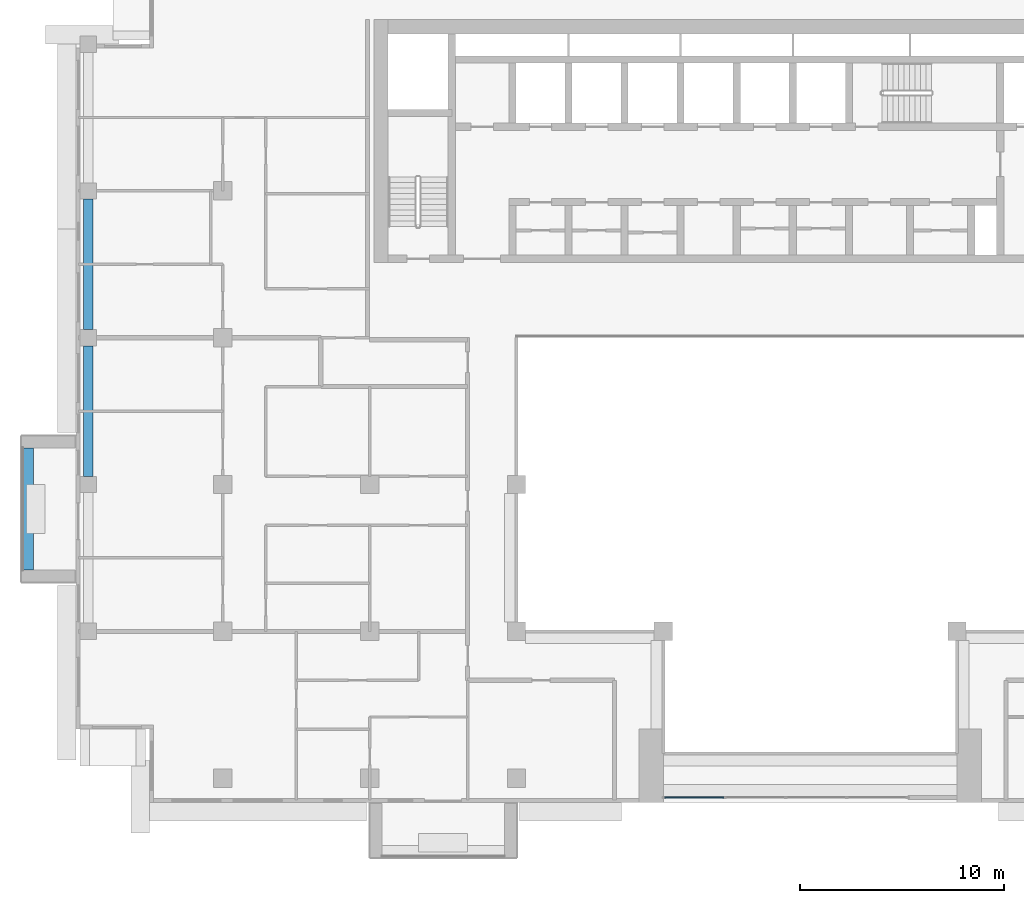
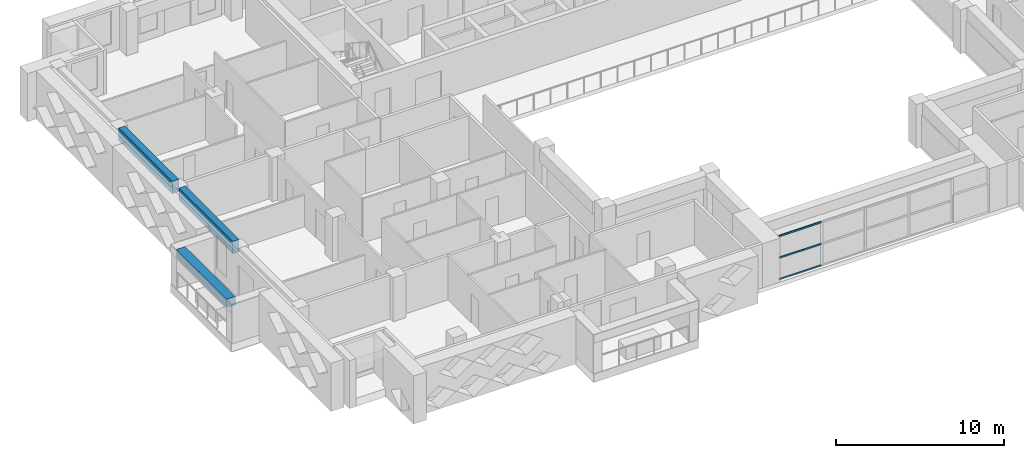
# One storey, part 3 of 20: 3 beams, 3 members, 1 element without a shape of its own.
"""IFC4 building model written with IfcOpenShell, lengths in metres."""

import ifcopenshell
import ifcopenshell.guid

model = None  # the IFC model being written
_history = None  # IfcOwnerHistory: only IFC2X3 demands one
_inside = {}  # id of a spatial element -> (the spatial element, [elements in it])
_under = {}  # id of a project, library or spatial element -> (it, [spatial elements below it])
_declared = {}  # id of a project -> (the project, [libraries it declares])
_typed = {}  # id of a type object -> (the type object, [elements of that type])
_made_of = {}  # id of a material, layer set ... -> (it, [elements and type objects made of it])


def new_model(schema):
    """Start an empty IFC model of exactly this schema.

    Asked for "IFC4X3", IfcOpenShell would pick the latest addendum, in which some entities
    have other attributes; the version numbers below select the first issue.
    IFC2X3 requires an IfcOwnerHistory on every rooted entity: one is made here for all.
    """
    global model, _history
    if schema == "IFC4X3":
        model = ifcopenshell.file(schema_version=(4, 3, 0, 0))
    else:
        model = ifcopenshell.file(schema=schema)
    _inside.clear()
    _under.clear()
    _declared.clear()
    _typed.clear()
    _made_of.clear()
    _history = None
    if model.schema == "IFC2X3":
        org = make("IfcOrganization", Name="unknown")
        user = make(
            "IfcPersonAndOrganization",
            ThePerson=make("IfcPerson", FamilyName="unknown"),
            TheOrganization=org,
        )
        app = make(
            "IfcApplication",
            ApplicationDeveloper=org,
            Version="unknown",
            ApplicationFullName="unknown",
            ApplicationIdentifier="unknown",
        )
        _history = make(
            "IfcOwnerHistory",
            OwningUser=user,
            OwningApplication=app,
            ChangeAction="ADDED",
            CreationDate=0,
        )
    return model


def make(cls, **values):
    """One entity of the class cls with the attributes given. An attribute that is None is left unset."""
    return model.create_entity(
        cls, **{name: value for name, value in values.items() if value is not None}
    )


def rooted(cls, **values):
    """An entity with a GlobalId (a new one), such as an element, a storey or a relation."""
    return make(cls, GlobalId=ifcopenshell.guid.new(), OwnerHistory=_history, **values)


def si_unit(unit_type, name, prefix=None):
    """IfcSIUnit, for example si_unit("LENGTHUNIT", "METRE", prefix="MILLI")."""
    return make("IfcSIUnit", UnitType=unit_type, Prefix=prefix, Name=name)


def assignment(units):
    """IfcUnitAssignment: the units of a project."""
    return None if units is None else make("IfcUnitAssignment", Units=units)


def point(xyz):
    """IfcCartesianPoint."""
    return None if xyz is None else make("IfcCartesianPoint", Coordinates=xyz)


def direction(xyz):
    """IfcDirection."""
    return None if xyz is None else make("IfcDirection", DirectionRatios=xyz)


def frame(location, z_axis=None, x_axis=None):
    """IfcAxis2Placement3D, a coordinate frame: its origin and axes. An axis left out is left unset."""
    return make(
        "IfcAxis2Placement3D",
        Location=point(location),
        Axis=direction(z_axis),
        RefDirection=direction(x_axis),
    )


def frame_2d(location, x_axis=None):
    """IfcAxis2Placement2D, a coordinate frame in the plane: its origin and x axis."""
    return make(
        "IfcAxis2Placement2D", Location=point(location), RefDirection=direction(x_axis)
    )


def origin():
    """The frame at (0, 0, 0) with its axes left unset."""
    return frame((0.0, 0.0, 0.0))


def origin_2d():
    """The frame at (0, 0) in the plane with its x axis left unset."""
    return frame_2d((0.0, 0.0))


def place(relative_to, where):
    """IfcLocalPlacement: puts the frame where relative to a parent placement (None: the world)."""
    return make(
        "IfcLocalPlacement", PlacementRelTo=relative_to, RelativePlacement=where
    )


def context(
    kind, dimensions, precision=None, world=None, true_north=None, identifier=None
):
    """IfcGeometricRepresentationContext, for example the 3D "Model" context."""
    return make(
        "IfcGeometricRepresentationContext",
        ContextIdentifier=identifier,
        ContextType=kind,
        CoordinateSpaceDimension=dimensions,
        Precision=precision,
        WorldCoordinateSystem=world,
        TrueNorth=true_north,
    )


def subcontext(parent, identifier, kind, view, scale=None):
    """IfcGeometricRepresentationSubContext, for example "Body" below "Model"."""
    return make(
        "IfcGeometricRepresentationSubContext",
        ContextIdentifier=identifier,
        ContextType=kind,
        ParentContext=parent,
        TargetScale=scale,
        TargetView=view,
    )


def project(units=None, contexts=None):
    """IfcProject with its units and contexts."""
    return rooted(
        "IfcProject",
        Name="project",
        RepresentationContexts=contexts,
        UnitsInContext=assignment(units),
    )


def spatial(cls, under=None, at=None, **own):
    """A site, building, storey or space (cls), placed at a placement, below another one or the project."""
    s = rooted(cls, ObjectPlacement=at, **own)
    if under is not None:
        _under.setdefault(under.id(), (under, []))[1].append(s)
    return s


def profile(cls, at=None, kind="AREA", **sizes):
    """A parametric profile (cls). Its sizes go by their IFC names, for example OverallWidth=200.0."""
    return make(cls, ProfileType=kind, Position=at, **sizes)


def rectangle(**sizes):
    """IfcRectangleProfileDef."""
    return profile("IfcRectangleProfileDef", **sizes)


def extrude(swept, where, along, depth):
    """IfcExtrudedAreaSolid: the profile swept, set in the frame where, extruded along a direction by depth."""
    return make(
        "IfcExtrudedAreaSolid",
        SweptArea=swept,
        Position=where,
        ExtrudedDirection=direction(along),
        Depth=depth,
    )


def shape(context_of_items, identifier, shape_type, items):
    """IfcShapeRepresentation: the items that make up one representation, for example the "Body"."""
    return make(
        "IfcShapeRepresentation",
        ContextOfItems=context_of_items,
        RepresentationIdentifier=identifier,
        RepresentationType=shape_type,
        Items=items,
    )


def source(mapping_origin, context_of_items, identifier, shape_type, items):
    """IfcRepresentationMap: a shape defined once, which mapped items show again and again."""
    return make(
        "IfcRepresentationMap",
        MappingOrigin=mapping_origin,
        MappedRepresentation=shape(context_of_items, identifier, shape_type, items),
    )


def transform(
    local_origin,
    x_axis=None,
    y_axis=None,
    z_axis=None,
    scale=None,
    scale2=None,
    scale3=None,
    uniform=True,
):
    """IfcCartesianTransformationOperator3D, or its non-uniform kind. x_axis, y_axis, z_axis: its Axis1, 2, 3."""
    if uniform:
        return make(
            "IfcCartesianTransformationOperator3D",
            Axis1=direction(x_axis),
            Axis2=direction(y_axis),
            LocalOrigin=point(local_origin),
            Scale=scale,
            Axis3=direction(z_axis),
        )
    return make(
        "IfcCartesianTransformationOperator3DnonUniform",
        Axis1=direction(x_axis),
        Axis2=direction(y_axis),
        LocalOrigin=point(local_origin),
        Scale=scale,
        Axis3=direction(z_axis),
        Scale2=scale2,
        Scale3=scale3,
    )


def mapped(mapping_source, mapping_target):
    """IfcMappedItem: shows the shape of a source again, moved by a transform."""
    return make(
        "IfcMappedItem", MappingSource=mapping_source, MappingTarget=mapping_target
    )


def material(Name=None, Category=None):
    """IfcMaterial."""
    return make("IfcMaterial", Name=Name, Category=Category)


def layer(
    of_material, thickness, ventilated=None, Name=None, Category=None, Priority=None
):
    """IfcMaterialLayer: one layer of a wall or slab, of a material (None: an air gap)."""
    return make(
        "IfcMaterialLayer",
        Material=of_material,
        LayerThickness=thickness,
        IsVentilated=ventilated,
        Name=Name,
        Category=Category,
        Priority=Priority,
    )


def layer_set(layers, Name=None):
    """IfcMaterialLayerSet."""
    return make("IfcMaterialLayerSet", MaterialLayers=layers, LayerSetName=Name)


def material_profile(
    of_material, cross_section, Name=None, Category=None, Priority=None
):
    """IfcMaterialProfile: a cross section and its material."""
    return make(
        "IfcMaterialProfile",
        Name=Name,
        Material=of_material,
        Profile=cross_section,
        Priority=Priority,
        Category=Category,
    )


def profile_set(profiles, Name=None, composite=None):
    """IfcMaterialProfileSet."""
    return make(
        "IfcMaterialProfileSet",
        Name=Name,
        MaterialProfiles=profiles,
        CompositeProfile=composite,
    )


def made_of(thing, what):
    """Note that an element or type object is made of a material, layer set ...; save() writes the relation."""
    if what is not None:
        _made_of.setdefault(what.id(), (what, []))[1].append(thing)
    return thing


def type_object(cls, material=None, **own):
    """A type object (cls), such as IfcWallType, which elements share."""
    return made_of(rooted(cls, **own), material)


def element(
    cls,
    number,
    at=None,
    inside=None,
    cuts=None,
    type_object=None,
    material=None,
    context=None,
    identifier="Body",
    shape_type=None,
    held_by="IfcProductDefinitionShape",
    body=None,
    shapes=None,
    **own,
):
    """One element of the class cls, such as IfcWall. Its Tag is "e" and its number.

    at: its placement. inside: the storey or other place that contains it. cuts: it is an
    opening in that element (IfcRelVoidsElement). A single representation is given by context,
    identifier, shape_type and body (its items); several are given by shapes. held_by: the class
    of the entity that holds the representations. save() writes the other relations.
    """
    e = rooted(cls, Tag="e%d" % number, ObjectPlacement=at, **own)
    if body is not None:
        shapes = [shape(context, identifier, shape_type, body)]
    if shapes is not None:
        e.Representation = make(held_by, Representations=shapes)
    if inside is not None:
        _inside.setdefault(inside.id(), (inside, []))[1].append(e)
    if cuts is not None:
        rooted(
            "IfcRelVoidsElement", RelatingBuildingElement=cuts, RelatedOpeningElement=e
        )
    if type_object is not None:
        _typed.setdefault(type_object.id(), (type_object, []))[1].append(e)
    return made_of(e, material)


def aggregate(whole, parts):
    """IfcRelAggregates: a whole, such as a stair, and the parts it consists of."""
    return rooted("IfcRelAggregates", RelatingObject=whole, RelatedObjects=parts)


def save(model, path):
    """Write the relations noted so far, then the file.

    IfcRelAggregates (storeys below a building ...), IfcRelContainedInSpatialStructure (elements
    in a storey), IfcRelDefinesByType, IfcRelAssociatesMaterial and IfcRelDeclares: one each for
    every whole, place, type object, material and project.
    """
    for whole, parts in _under.values():
        aggregate(whole, parts)
    for where, things in _inside.values():
        rooted(
            "IfcRelContainedInSpatialStructure",
            RelatedElements=things,
            RelatingStructure=where,
        )
    for kind, things in _typed.values():
        rooted("IfcRelDefinesByType", RelatedObjects=things, RelatingType=kind)
    for what, things in _made_of.values():
        rooted("IfcRelAssociatesMaterial", RelatedObjects=things, RelatingMaterial=what)
    for by, libraries in _declared.values():
        rooted("IfcRelDeclares", RelatingContext=by, RelatedDefinitions=libraries)
    model.write(path)


model = new_model("IFC4")

# Units and contexts
model_context = context("Model", 3, precision=1e-05, world=origin(), true_north=direction((0.0, 1.0)))
body_context = subcontext(model_context, "Body", "Model", "MODEL_VIEW")
ifc_project = project(units=[si_unit("LENGTHUNIT", "METRE"), si_unit("AREAUNIT", "SQUARE_METRE"), si_unit("VOLUMEUNIT", "CUBIC_METRE"), si_unit("PLANEANGLEUNIT", "RADIAN"), si_unit("MASSUNIT", "GRAM", prefix="KILO")], contexts=[model_context])

# Site, building, storey
site_placement = place(None, origin())
site = spatial("IfcSite", under=ifc_project, at=site_placement, CompositionType="ELEMENT")
building_placement = place(site_placement, origin())
building = spatial("IfcBuilding", under=site, at=building_placement, Name="Saffron Iwan Residences", CompositionType="ELEMENT")
storey_placement = place(building_placement, frame((0.0, 0.0, 199.0)))
storey = spatial("IfcBuildingStorey", under=building, at=storey_placement, Name="L53", CompositionType="ELEMENT", Elevation=199.0)

# Beams
ifc_material_1 = material(Name="Concrete C50/60", Category="concrete")
ifc_material_profile_1 = material_profile(ifc_material_1, rectangle(XDim=0.449951171875, YDim=0.89990234375, at=origin_2d()), Name="RC 450x900")
ifc_profile_set_1 = profile_set([ifc_material_profile_1], Name="Concrete C50/60")
beam_type_1 = type_object("IfcBeamType", Name="SPANDREL BEAM RC 450x900 C50/60 TOP 3200", PredefinedType="SPANDREL", material=ifc_profile_set_1)
shared_shape_1 = source(origin(), body_context, "Body", "SweptSolid", [
    extrude(rectangle(XDim=0.449951171875, YDim=0.89990234375, at=origin_2d()), origin(), (0.0, 0.0, 1.0), 6.39990234375),
])
for number, where, z_axis, x_axis, name in (
    (1, (15.0, 55.60009765625, 2.75), (0.0, 1.0, 0.0), (-1.0, 0.0, 0.0), "Spandrel beam"),
    (2, (15.0, 62.800048828125, 2.75), (0.0, 1.0, 0.0), (-1.0, 0.0, 0.0), "Spandrel beam"),
):
    element("IfcBeam", number, at=place(storey_placement, frame(where, z_axis=z_axis, x_axis=x_axis)), inside=storey, type_object=beam_type_1, Name=name, PredefinedType="SPANDREL", context=body_context, shape_type="MappedRepresentation", body=[
        mapped(shared_shape_1, transform((0.0, 0.0, 0.0))),
    ])

# Curtain wall, members
ifc_material_2 = material(Name="Clear glass, laminated double glazed", Category="glass")
ifc_layer = layer(ifc_material_2, 0.199951171875)
ifc_layer_set = layer_set([ifc_layer], Name="Clear glass, laminated double glazed")
curtain_wall_type = type_object("IfcCurtainWallType", Name="CW-B IWAN PORTAL", PredefinedType="NOTDEFINED", material=ifc_layer_set)
curtain_wall_placement = place(storey_placement, origin())
curtain_wall = element("IfcCurtainWall", 3, at=curtain_wall_placement, inside=storey, type_object=curtain_wall_type, Name="Iwan portal glazing L53.1", PredefinedType="NOTDEFINED")
ifc_material_3 = material(Name="Aluminium 6063-T6", Category="aluminium")
ifc_material_profile_2 = material_profile(ifc_material_3, rectangle(XDim=0.06005859375, YDim=0.1201171875, at=origin_2d()), Name="CW-B TRANSOM 60 x 120")
ifc_profile_set_2 = profile_set([ifc_material_profile_2], Name="Aluminium 6063-T6")
member_type = type_object("IfcMemberType", Name="CW-B TRANSOM 60 x 120", PredefinedType="USERDEFINED", material=ifc_profile_set_2)
shared_shape_2 = source(origin(), body_context, "Body", "SweptSolid", [
    extrude(rectangle(XDim=0.06005859375, YDim=0.1201171875, at=origin_2d()), origin(), (0.0, 0.0, 1.0), 2.909912109375),
])
member_1_placement = place(storey_placement, frame((43.260009765625, 39.85009765625, 0.030029296875), z_axis=(1.0, 0.0, 0.0), x_axis=(0.0, 1.0, 0.0)))
member_1 = element("IfcMember", 4, at=member_1_placement, type_object=member_type, Name="CW-B transom 1.1", ObjectType="TRANSOM", PredefinedType="USERDEFINED", context=body_context, shape_type="MappedRepresentation", body=[
    mapped(shared_shape_2, transform((0.0, 0.0, 0.0))),
])
member_2_placement = place(storey_placement, frame((43.260009765625, 39.85009765625, 1.60009765625), z_axis=(1.0, 0.0, 0.0), x_axis=(0.0, 1.0, 0.0)))
member_2 = element("IfcMember", 5, at=member_2_placement, type_object=member_type, Name="CW-B transom 1.2", ObjectType="TRANSOM", PredefinedType="USERDEFINED", context=body_context, shape_type="MappedRepresentation", body=[
    mapped(shared_shape_2, transform((0.0, 0.0, 0.0))),
])
member_3_placement = place(storey_placement, frame((43.260009765625, 39.85009765625, 3.169921875), z_axis=(1.0, 0.0, 0.0), x_axis=(0.0, 1.0, 0.0)))
member_3 = element("IfcMember", 6, at=member_3_placement, type_object=member_type, Name="CW-B transom 1.3", ObjectType="TRANSOM", PredefinedType="USERDEFINED", context=body_context, shape_type="MappedRepresentation", body=[
    mapped(shared_shape_2, transform((0.0, 0.0, 0.0))),
])
aggregate(curtain_wall, [member_1, member_2, member_3])

# Beam
ifc_material_4 = material(Name="Concrete C50/60 white painted", Category="concrete")
ifc_material_profile_3 = material_profile(ifc_material_4, rectangle(XDim=0.60009765625, YDim=0.60009765625, at=origin_2d()), Name="BALCONY FASCIA BEAM 600 x 600")
ifc_profile_set_3 = profile_set([ifc_material_profile_3], Name="Concrete C50/60 white painted")
beam_type_2 = type_object("IfcBeamType", Name="BALCONY FASCIA BEAM 600 x 600", PredefinedType="BEAM", material=ifc_profile_set_3)
shared_shape_3 = source(origin(), body_context, "Body", "SweptSolid", [
    extrude(rectangle(XDim=0.60009765625, YDim=0.60009765625, at=origin_2d()), origin(), (0.0, 0.0, 1.0), 6.0),
])
beam_placement = place(storey_placement, frame((12.0, 57.0, 2.550048828125), z_axis=(0.0, -1.0, 0.0), x_axis=(1.0, 0.0, 0.0)))
element("IfcBeam", 7, at=beam_placement, inside=storey, type_object=beam_type_2, Name="Balcony fascia beam L53 F8-1", PredefinedType="BEAM", context=body_context, shape_type="MappedRepresentation", body=[
    mapped(shared_shape_3, transform((0.0, 0.0, 0.0))),
])

save(model, "model.ifc")
